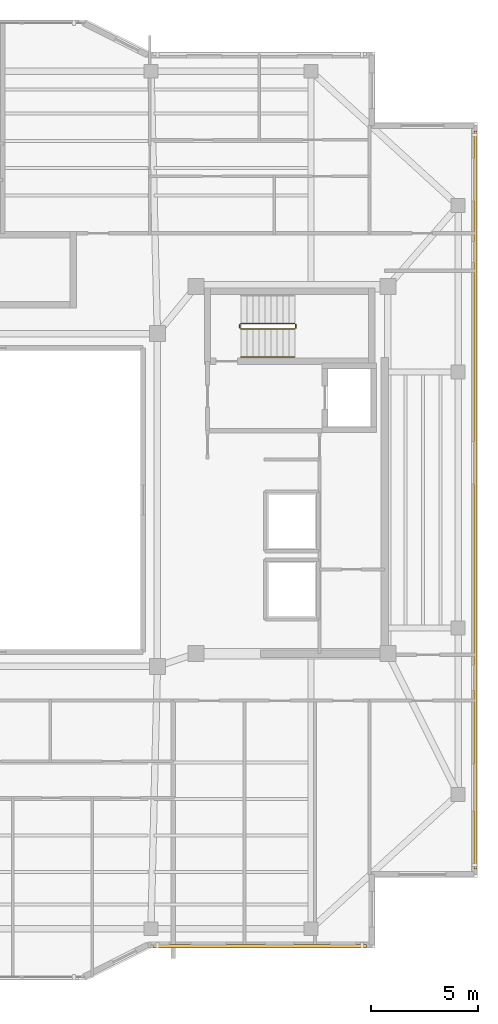
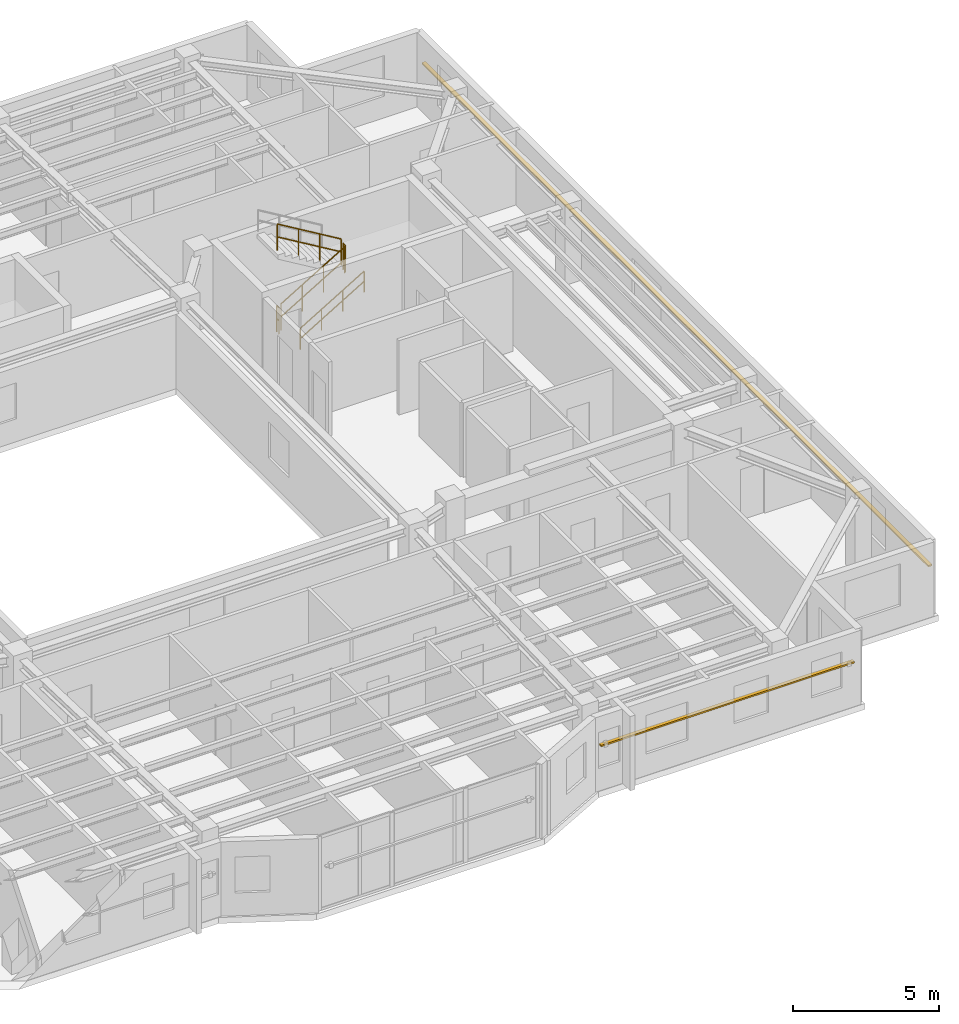
# One storey, part 12 of 13: 5 railings, 2 shading devices.
"""IFC4 building model written with IfcOpenShell, lengths in metres."""

from ifc_helpers import new_model, si_unit, direction, frame, origin, origin_2d, place, context, subcontext, project, spatial, rectangle, circle, extrude, material, material_profile, profile_set, type_object, element, save


model = new_model("IFC4")

# Units and contexts
model_context = context("Model", 3, precision=1e-05, world=origin(), true_north=direction((0.0, 1.0)))
body_context = subcontext(model_context, "Body", "Model", "MODEL_VIEW")
ifc_project = project(units=[si_unit("LENGTHUNIT", "METRE"), si_unit("AREAUNIT", "SQUARE_METRE"), si_unit("VOLUMEUNIT", "CUBIC_METRE"), si_unit("PLANEANGLEUNIT", "RADIAN"), si_unit("MASSUNIT", "GRAM", prefix="KILO")], contexts=[model_context])

# Site, building, storey
site_placement = place(None, origin())
site = spatial("IfcSite", under=ifc_project, at=site_placement, CompositionType="ELEMENT")
building_placement = place(site_placement, origin())
building = spatial("IfcBuilding", under=site, at=building_placement, Name="Tarnavaz Court Tower", CompositionType="ELEMENT")
storey_placement = place(building_placement, frame((0.0, 0.0, 251.550048828125)))
storey = spatial("IfcBuildingStorey", under=building, at=storey_placement, Name="L68", CompositionType="ELEMENT", Elevation=251.550048828125)

# Railings
ifc_material_1 = material(Name="Brushed Stainless Steel", Category="steel")
railing_type_1 = type_object("IfcRailingType", Name="RL-HANDRAIL-900", PredefinedType="HANDRAIL", material=ifc_material_1)
railing_1_placement = place(storey_placement, frame((11.719970703125, 6.699951171875, 0.16748046875)))
element("IfcRailing", 1, at=railing_1_placement, inside=storey, type_object=railing_type_1, Name="L68 ST-E1 stair handrail 1", PredefinedType="HANDRAIL", context=body_context, shape_type="SweptSolid", body=[
    extrude(circle(Radius=0.02392578125, at=origin_2d()), frame((0.0, 0.0, 0.8759765625), z_axis=(0.858159760407, 0.0, 0.513382728203), x_axis=(0.0, 1.0, 0.0)), (0.0, 0.0, 1.0), 2.9365234375),
    extrude(circle(Radius=0.02392578125, at=origin_2d()), frame((0.0, 0.0, 0.449951171875), z_axis=(0.858159760407, 0.0, 0.513382728203), x_axis=(0.0, 1.0, 0.0)), (0.0, 0.0, 1.0), 2.9365234375),
    extrude(circle(Radius=0.02099609375, at=origin_2d()), origin(), (0.0, 0.0, 1.0), 0.851806640625),
    extrude(circle(Radius=0.02099609375, at=origin_2d()), frame((0.840087890625, 0.0, 0.50244140625)), (0.0, 0.0, 1.0), 0.851806640625),
    extrude(circle(Radius=0.02099609375, at=origin_2d()), frame((1.679931640625, 0.0, 1.005126953125)), (0.0, 0.0, 1.0), 0.851806640625),
    extrude(circle(Radius=0.02099609375, at=origin_2d()), frame((2.52001953125, 0.0, 1.507568359375)), (0.0, 0.0, 1.0), 0.851806640625),
])
ifc_material_2 = material(Name="Galvanized Painted Tubular Steel", Category="steel")
railing_type_2 = type_object("IfcRailingType", Name="RL-STGUARD-1120", PredefinedType="GUARDRAIL", material=ifc_material_2)
railing_2_placement = place(storey_placement, frame((11.719970703125, 8.02001953125, 0.16748046875)))
element("IfcRailing", 2, at=railing_2_placement, inside=storey, type_object=railing_type_2, Name="L68 ST-E1 stair guard 1", PredefinedType="GUARDRAIL", context=body_context, shape_type="SweptSolid", body=[
    extrude(circle(Radius=0.02392578125, at=origin_2d()), frame((0.0, 0.0, 1.09619140625), z_axis=(0.858159760407, 0.0, 0.513382728203), x_axis=(0.0, 1.0, 0.0)), (0.0, 0.0, 1.0), 2.9365234375),
    extrude(circle(Radius=0.02392578125, at=origin_2d()), frame((0.0, 0.0, 0.56005859375), z_axis=(0.858159760407, 0.0, 0.513382728203), x_axis=(0.0, 1.0, 0.0)), (0.0, 0.0, 1.0), 2.9365234375),
    extrude(circle(Radius=0.02099609375, at=origin_2d()), origin(), (0.0, 0.0, 1.0), 1.072021484375),
    extrude(circle(Radius=0.02099609375, at=origin_2d()), frame((0.840087890625, 0.0, 0.50244140625)), (0.0, 0.0, 1.0), 1.072021484375),
    extrude(circle(Radius=0.02099609375, at=origin_2d()), frame((1.679931640625, 0.0, 1.005126953125)), (0.0, 0.0, 1.0), 1.072021484375),
    extrude(circle(Radius=0.02099609375, at=origin_2d()), frame((2.52001953125, 0.0, 1.507568359375)), (0.0, 0.0, 1.0), 1.072021484375),
])
railing_3_placement = place(storey_placement, frame((14.2900390625, 8.070068359375, 1.675048828125)))
element("IfcRailing", 3, at=railing_3_placement, inside=storey, type_object=railing_type_2, Name="L68 ST-E1 stair guard 2", PredefinedType="GUARDRAIL", context=body_context, shape_type="SweptSolid", body=[
    extrude(circle(Radius=0.02392578125, at=origin_2d()), frame((0.0, 0.0, 1.09619140625), z_axis=(0.0, 1.0, 0.0), x_axis=(-1.0, 0.0, 0.0)), (0.0, 0.0, 1.0), 0.14990234375),
    extrude(circle(Radius=0.02392578125, at=origin_2d()), frame((0.0, 0.0, 0.56005859375), z_axis=(0.0, 1.0, 0.0), x_axis=(-1.0, 0.0, 0.0)), (0.0, 0.0, 1.0), 0.14990234375),
    extrude(circle(Radius=0.02099609375, at=origin_2d()), origin(), (0.0, 0.0, 1.0), 1.072021484375),
    extrude(circle(Radius=0.02099609375, at=origin_2d()), frame((0.0, 0.14990234375, 0.0)), (0.0, 0.0, 1.0), 1.072021484375),
])
railing_4_placement = place(storey_placement, frame((14.239990234375, 8.27001953125, 1.842529296875)))
element("IfcRailing", 4, at=railing_4_placement, inside=storey, type_object=railing_type_2, Name="L68 ST-E1 stair guard 3", PredefinedType="GUARDRAIL", context=body_context, shape_type="SweptSolid", body=[
    extrude(circle(Radius=0.02392578125, at=origin_2d()), frame((0.0, 0.0, 1.09619140625), z_axis=(-0.858196387827, 0.0, 0.513321497621), x_axis=(0.0, -1.0, 0.0)), (0.0, 0.0, 1.0), 2.9365234375),
    extrude(circle(Radius=0.02392578125, at=origin_2d()), frame((0.0, 0.0, 0.56005859375), z_axis=(-0.858196387827, 0.0, 0.513321497621), x_axis=(0.0, -1.0, 0.0)), (0.0, 0.0, 1.0), 2.9365234375),
    extrude(circle(Radius=0.02099609375, at=origin_2d()), origin(), (0.0, 0.0, 1.0), 1.072021484375),
    extrude(circle(Radius=0.02099609375, at=origin_2d()), frame((-0.840087890625, 0.0, 0.50244140625)), (0.0, 0.0, 1.0), 1.072021484375),
    extrude(circle(Radius=0.02099609375, at=origin_2d()), frame((-1.679931640625, 0.0, 1.0048828125)), (0.0, 0.0, 1.0), 1.072021484375),
    extrude(circle(Radius=0.02099609375, at=origin_2d()), frame((-2.52001953125, 0.0, 1.50732421875)), (0.0, 0.0, 1.0), 1.072021484375),
])
railing_5_placement = place(storey_placement, frame((11.669921875, 8.070068359375, 0.0)))
element("IfcRailing", 5, at=railing_5_placement, inside=storey, type_object=railing_type_2, Name="L68 ST-E1 stair guard 4", PredefinedType="GUARDRAIL", context=body_context, shape_type="SweptSolid", body=[
    extrude(circle(Radius=0.02392578125, at=origin_2d()), frame((0.0, 0.0, 1.09619140625), z_axis=(0.0, 1.0, 0.0), x_axis=(-1.0, 0.0, 0.0)), (0.0, 0.0, 1.0), 0.14990234375),
    extrude(circle(Radius=0.02392578125, at=origin_2d()), frame((0.0, 0.0, 0.56005859375), z_axis=(0.0, 1.0, 0.0), x_axis=(-1.0, 0.0, 0.0)), (0.0, 0.0, 1.0), 0.14990234375),
    extrude(circle(Radius=0.02099609375, at=origin_2d()), origin(), (0.0, 0.0, 1.0), 1.072021484375),
    extrude(circle(Radius=0.02099609375, at=origin_2d()), frame((0.0, 0.14990234375, 0.0)), (0.0, 0.0, 1.0), 1.072021484375),
])

# Shading devices
ifc_material_3 = material(Name="Kiln-Fired Khorasan Terracotta Ceramic", Category="masonry")
ifc_material_profile = material_profile(ifc_material_3, rectangle(XDim=0.14990234375, YDim=0.06494140625, at=origin_2d()), Name="TC BAGUETTE 150X65")
ifc_profile_set = profile_set([ifc_material_profile], Name="Kiln-Fired Khorasan Terracotta Ceramic")
shading_device_type = type_object("IfcShadingDeviceType", Name="SD-BAG-150", PredefinedType="USERDEFINED", material=ifc_profile_set)
shading_device_1_placement = place(storey_placement, frame((22.7099609375, 17.300048828125, 1.849853515625), z_axis=(0.0, -1.0, 0.0), x_axis=(1.0, 0.0, 0.0)))
element("IfcShadingDevice", 6, at=shading_device_1_placement, inside=storey, type_object=shading_device_type, Name="L68 Terracotta Baguette Screen FBG12", ObjectType="BAGUETTE", PredefinedType="USERDEFINED", context=body_context, shape_type="SweptSolid", body=[
    extrude(rectangle(XDim=0.14990234375, YDim=0.06494140625, at=origin_2d()), origin(), (0.0, 0.0, 1.0), 34.60009765625),
])
shading_device_2_placement = place(storey_placement, frame((17.60009765625, -20.909912109375, 1.849853515625), z_axis=(-1.0, 0.0, 0.0), x_axis=(0.0, -1.0, 0.0)))
element("IfcShadingDevice", 7, at=shading_device_2_placement, inside=storey, type_object=shading_device_type, Name="L68 Terracotta Baguette Screen FBG15", ObjectType="BAGUETTE", PredefinedType="USERDEFINED", context=body_context, shape_type="SweptSolid", body=[
    extrude(rectangle(XDim=0.14990234375, YDim=0.06494140625, at=origin_2d()), origin(), (0.0, 0.0, 1.0), 10.0),
])

save(model, "model.ifc")
